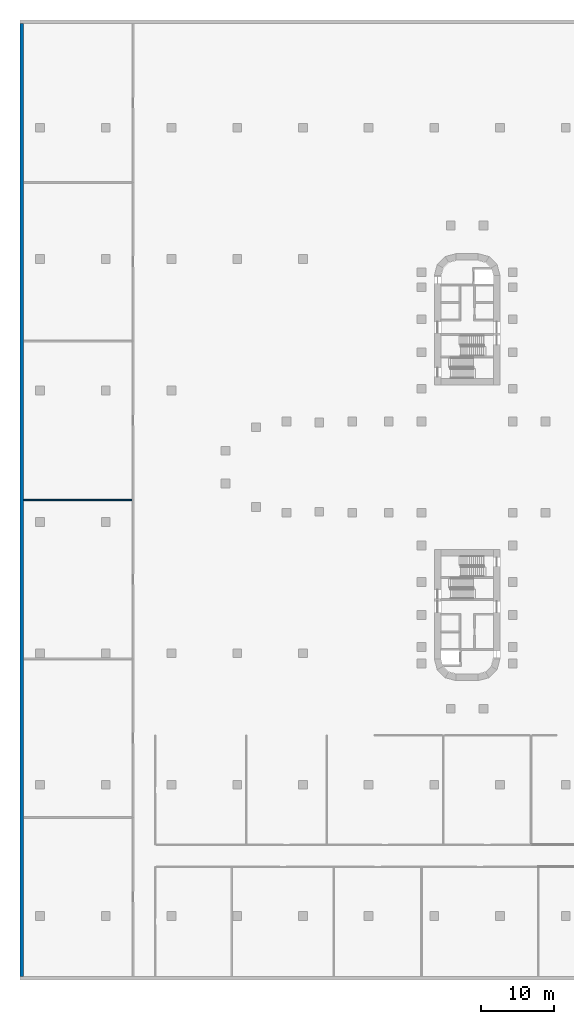
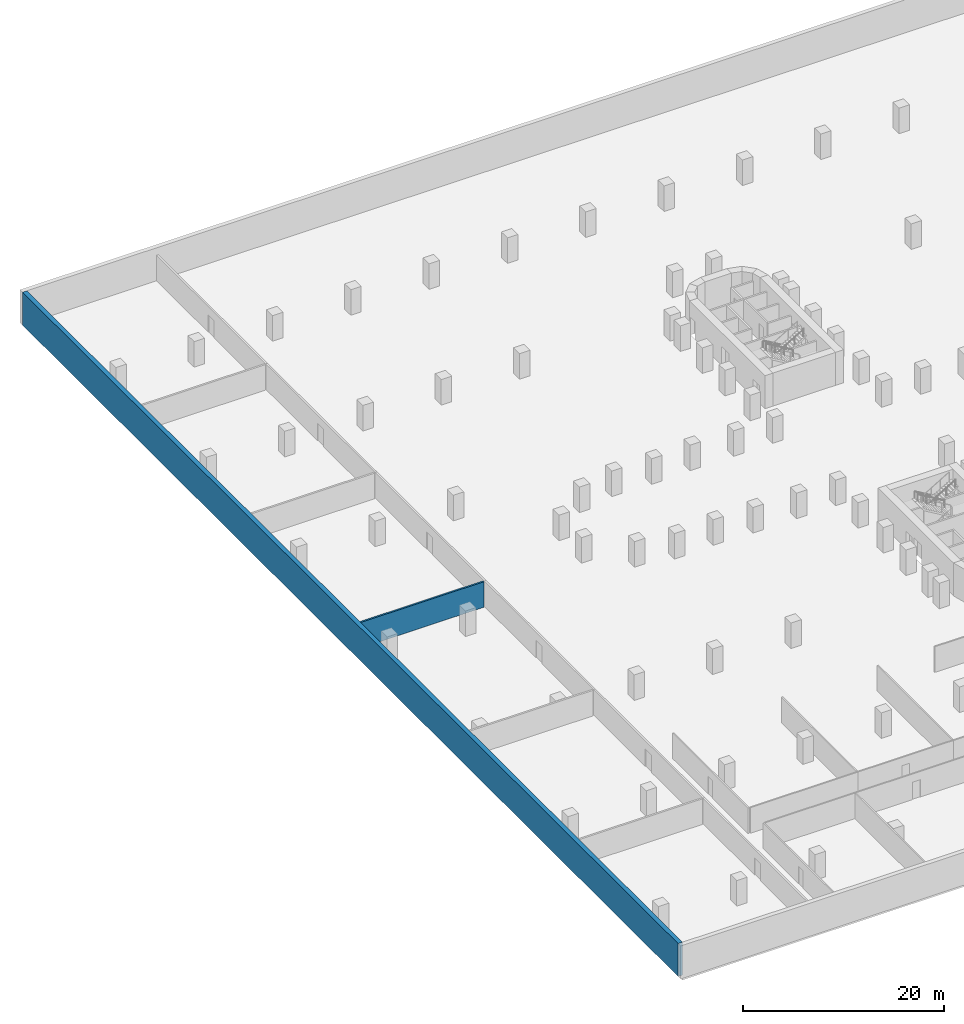
# One storey, part 7 of 11: 2 walls.
"""IFC4 building model written with IfcOpenShell, lengths in metres."""

from ifc_helpers import new_model, si_unit, direction, frame, frame_2d, origin, place, context, subcontext, project, spatial, rectangle, extrude, material, layer, layer_set, type_object, element, save


model = new_model("IFC4")

# Units and contexts
model_context = context("Model", 3, precision=1e-05, world=origin(), true_north=direction((0.0, 1.0)))
body_context = subcontext(model_context, "Body", "Model", "MODEL_VIEW")
ifc_project = project(units=[si_unit("LENGTHUNIT", "METRE"), si_unit("AREAUNIT", "SQUARE_METRE"), si_unit("VOLUMEUNIT", "CUBIC_METRE"), si_unit("PLANEANGLEUNIT", "RADIAN"), si_unit("MASSUNIT", "GRAM", prefix="KILO")], contexts=[model_context])

# Site, building, storey
site_placement = place(None, origin())
site = spatial("IfcSite", under=ifc_project, at=site_placement, CompositionType="ELEMENT")
building_placement = place(site_placement, origin())
building = spatial("IfcBuilding", under=site, at=building_placement, Name="Zarbagh Exchange Tower", CompositionType="ELEMENT")
storey_placement = place(building_placement, frame((0.0, 0.0, -4.0)))
storey = spatial("IfcBuildingStorey", under=building, at=storey_placement, Name="B1", CompositionType="ELEMENT", Elevation=-4.0)

# Walls
ifc_material_1 = material(Name="Concrete block partition", Category="concrete")
ifc_layer_1 = layer(ifc_material_1, 0.199951171875)
ifc_layer_set_1 = layer_set([ifc_layer_1], Name="Fire-rated block partition 200 EI 120")
wall_type_1 = type_object("IfcWallType", Name="Fire-rated block partition 200 EI 120", PredefinedType="PARTITIONING", material=ifc_layer_set_1)
wall_1_placement = place(storey_placement, frame((-60.75, -4.5, 0.0), z_axis=(0.0, 0.0, 1.0), x_axis=(1.0, 0.0, 0.0)))
element("IfcWall", 1, at=wall_1_placement, inside=storey, type_object=wall_type_1, Name="WL-B1-W011", PredefinedType="PARTITIONING", context=body_context, shape_type="SweptSolid", body=[
    extrude(rectangle(XDim=14.800048828125, YDim=0.199951171875, at=frame_2d((7.39990234375, 0.0))), origin(), (0.0, 0.0, 1.0), 3.10009765625),
])
ifc_material_2 = material(Name="Concrete C40/50", Category="concrete")
ifc_layer_2 = layer(ifc_material_2, 0.5)
ifc_layer_set_2 = layer_set([ifc_layer_2], Name="RC basement retaining wall 500 C40/50")
wall_type_2 = type_object("IfcWallType", Name="RC basement retaining wall 500 C40/50", PredefinedType="SOLIDWALL", material=ifc_layer_set_2)
wall_2_placement = place(storey_placement, frame((-61.0, -69.75, 0.0), z_axis=(0.0, 0.0, 1.0), x_axis=(0.0, 1.0, 0.0)))
element("IfcWall", 2, at=wall_2_placement, inside=storey, type_object=wall_type_2, Name="CW12 basement", PredefinedType="SOLIDWALL", context=body_context, shape_type="SweptSolid", body=[
    extrude(rectangle(XDim=130.5, YDim=0.5, at=frame_2d((65.25, 0.0))), origin(), (0.0, 0.0, 1.0), 4.0),
])

save(model, "model.ifc")
